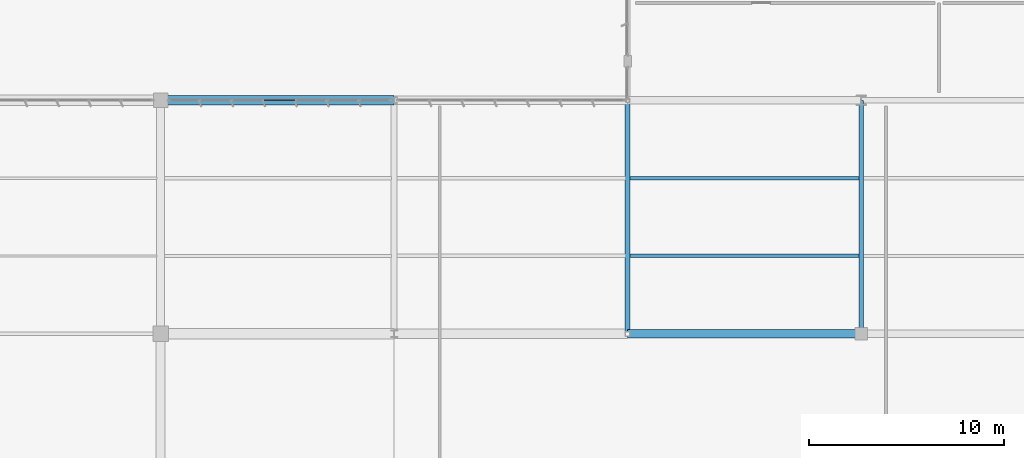
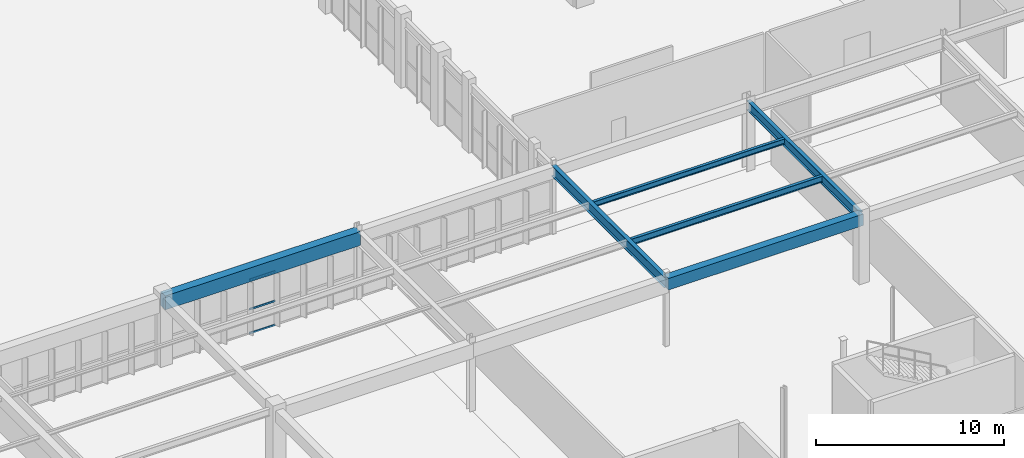
# One storey, part 78 of 199: 6 beams, 3 members, 1 element without a shape of its own.
"""IFC4 building model written with IfcOpenShell, lengths in metres."""

from ifc_helpers import new_model, si_unit, direction, frame, origin, origin_2d, place, context, subcontext, project, spatial, rectangle, i_section, extrude, material, layer, layer_set, material_profile, profile_set, type_object, element, aggregate, save


model = new_model("IFC4")

# Units and contexts
model_context = context("Model", 3, precision=1e-05, world=origin(), true_north=direction((0.0, 1.0)))
body_context = subcontext(model_context, "Body", "Model", "MODEL_VIEW")
ifc_project = project(units=[si_unit("LENGTHUNIT", "METRE"), si_unit("AREAUNIT", "SQUARE_METRE"), si_unit("VOLUMEUNIT", "CUBIC_METRE"), si_unit("PLANEANGLEUNIT", "RADIAN"), si_unit("MASSUNIT", "GRAM", prefix="KILO")], contexts=[model_context])

# Site, building, storey
site_placement = place(None, origin())
site = spatial("IfcSite", under=ifc_project, at=site_placement, CompositionType="ELEMENT")
building_placement = place(site_placement, origin())
building = spatial("IfcBuilding", under=site, at=building_placement, Name="Tarnwether General Hospital", CompositionType="ELEMENT")
storey_placement = place(building_placement, origin())
storey = spatial("IfcBuildingStorey", under=building, at=storey_placement, Name="L00", CompositionType="ELEMENT", Elevation=0.0)

# Beams
ifc_material_1 = material(Name="Steel Grade 350 (350 MPa)", Category="steel")
ifc_material_profile_1 = material_profile(ifc_material_1, i_section(OverallWidth=0.25, OverallDepth=0.69189453125, WebThickness=0.009033203125, FlangeThickness=0.01611328125, at=origin_2d()), Name="700WB115")
ifc_profile_set_1 = profile_set([ifc_material_profile_1], Name="Steel Grade 350 (350 MPa)")
beam_type_1 = type_object("IfcBeamType", Name="BM-G02", PredefinedType="BEAM", material=ifc_profile_set_1)
beam_1_placement = place(storey_placement, frame((108.0, 33.60009765625, 4.09912109375), z_axis=(0.0, 1.0, 0.0), x_axis=(-1.0, 0.0, 0.0)))
element("IfcBeam", 1, at=beam_1_placement, inside=storey, type_object=beam_type_1, Name="Primary Girder BMG-L00-10800_3360-10800_4560-0748", PredefinedType="BEAM", context=body_context, shape_type="SweptSolid", body=[
    extrude(i_section(OverallWidth=0.25, OverallDepth=0.69189453125, WebThickness=0.009033203125, FlangeThickness=0.01611328125, at=origin_2d()), origin(), (0.0, 0.0, 1.0), 12.0),
])
ifc_material_2 = material(Name="Steel Grade 350 (350 MPa)", Category="steel")
ifc_material_profile_2 = material_profile(ifc_material_2, i_section(OverallWidth=0.22900390625, OverallDepth=0.612060546875, WebThickness=0.011962890625, FlangeThickness=0.01953125, at=origin_2d()), Name="610UB125")
ifc_profile_set_2 = profile_set([ifc_material_profile_2], Name="Steel Grade 350 (350 MPa)")
beam_type_2 = type_object("IfcBeamType", Name="BM-G03", PredefinedType="BEAM", material=ifc_profile_set_2)
beam_2_placement = place(storey_placement, frame((120.0, 33.60009765625, 4.138916015625), z_axis=(0.0, 1.0, 0.0), x_axis=(-1.0, 0.0, 0.0)))
element("IfcBeam", 2, at=beam_2_placement, inside=storey, type_object=beam_type_2, Name="Primary Girder BMG-L00-12000_3360-12000_4560-0760", PredefinedType="BEAM", context=body_context, shape_type="SweptSolid", body=[
    extrude(i_section(OverallWidth=0.22900390625, OverallDepth=0.612060546875, WebThickness=0.011962890625, FlangeThickness=0.01953125, at=origin_2d()), origin(), (0.0, 0.0, 1.0), 12.0),
])
ifc_material_3 = material(Name="Concrete 40 MPa", Category="concrete")
ifc_material_profile_3 = material_profile(ifc_material_3, rectangle(XDim=0.5, YDim=0.89990234375, at=origin_2d()), Name="RC-BM-500x900")
ifc_profile_set_3 = profile_set([ifc_material_profile_3], Name="Concrete 40 MPa")
beam_type_3 = type_object("IfcBeamType", Name="BM-G12", PredefinedType="BEAM", material=ifc_profile_set_3)
beam_3_placement = place(storey_placement, frame((84.0, 45.60009765625, 3.9951171875), z_axis=(1.0, 0.0, 0.0), x_axis=(0.0, 1.0, 0.0)))
element("IfcBeam", 3, at=beam_3_placement, inside=storey, type_object=beam_type_3, Name="Primary Girder BMG-L00-8400_4560-9600_4560-0724", PredefinedType="BEAM", context=body_context, shape_type="SweptSolid", body=[
    extrude(rectangle(XDim=0.5, YDim=0.89990234375, at=origin_2d()), origin(), (0.0, 0.0, 1.0), 12.0),
])
ifc_material_4 = material(Name="Concrete 40 MPa", Category="concrete")
ifc_material_profile_4 = material_profile(ifc_material_4, rectangle(XDim=0.449951171875, YDim=0.75, at=origin_2d()), Name="RC-BM-450x750")
ifc_profile_set_4 = profile_set([ifc_material_profile_4], Name="Concrete 40 MPa")
beam_type_4 = type_object("IfcBeamType", Name="BM-G13", PredefinedType="BEAM", material=ifc_profile_set_4)
beam_4_placement = place(storey_placement, frame((108.0, 33.60009765625, 4.070068359375), z_axis=(1.0, 0.0, 0.0), x_axis=(0.0, 1.0, 0.0)))
element("IfcBeam", 4, at=beam_4_placement, inside=storey, type_object=beam_type_4, Name="Primary Girder BMG-L00-10800_3360-12000_3360-0747", PredefinedType="BEAM", context=body_context, shape_type="SweptSolid", body=[
    extrude(rectangle(XDim=0.449951171875, YDim=0.75, at=origin_2d()), origin(), (0.0, 0.0, 1.0), 12.0),
])
ifc_material_5 = material(Name="Steel Grade 350 (350 MPa)", Category="steel")
ifc_material_profile_5 = material_profile(ifc_material_5, i_section(OverallWidth=0.177978515625, OverallDepth=0.403076171875, WebThickness=0.007568359375, FlangeThickness=0.010986328125, at=origin_2d()), Name="410UB53.7")
ifc_profile_set_5 = profile_set([ifc_material_profile_5], Name="Steel Grade 350 (350 MPa)")
beam_type_5 = type_object("IfcBeamType", Name="BM-J02", PredefinedType="JOIST", material=ifc_profile_set_5)
beam_5_placement = place(storey_placement, frame((108.118896484375, 37.60009765625, 4.243408203125), z_axis=(1.0, 0.0, 0.0), x_axis=(0.0, 1.0, 0.0)))
element("IfcBeam", 5, at=beam_5_placement, inside=storey, type_object=beam_type_5, Name="Composite Floor Joist BMG-L00-10812_3760-11989_3760-0989", PredefinedType="JOIST", context=body_context, shape_type="SweptSolid", body=[
    extrude(i_section(OverallWidth=0.177978515625, OverallDepth=0.403076171875, WebThickness=0.007568359375, FlangeThickness=0.010986328125, at=origin_2d()), origin(), (0.0, 0.0, 1.0), 11.772216796875),
])
ifc_material_6 = material(Name="Steel Grade 350 (350 MPa)", Category="steel")
ifc_material_profile_6 = material_profile(ifc_material_6, i_section(OverallWidth=0.172119140625, OverallDepth=0.35888671875, WebThickness=0.008056640625, FlangeThickness=0.012939453125, at=origin_2d()), Name="360UB56.7")
ifc_profile_set_6 = profile_set([ifc_material_profile_6], Name="Steel Grade 350 (350 MPa)")
beam_type_6 = type_object("IfcBeamType", Name="BM-J03", PredefinedType="JOIST", material=ifc_profile_set_6)
beam_6_placement = place(storey_placement, frame((108.118896484375, 41.60009765625, 4.265380859375), z_axis=(1.0, 0.0, 0.0), x_axis=(0.0, 1.0, 0.0)))
element("IfcBeam", 6, at=beam_6_placement, inside=storey, type_object=beam_type_6, Name="Composite Floor Joist BMG-L00-10812_4160-11989_4160-0990", PredefinedType="JOIST", context=body_context, shape_type="SweptSolid", body=[
    extrude(i_section(OverallWidth=0.172119140625, OverallDepth=0.35888671875, WebThickness=0.008056640625, FlangeThickness=0.012939453125, at=origin_2d()), origin(), (0.0, 0.0, 1.0), 11.772216796875),
])

# Curtain wall, members
ifc_material_7 = material(Name="Anodised aluminium", Category="aluminium")
ifc_layer = layer(ifc_material_7, 0.159912109375)
ifc_layer_set = layer_set([ifc_layer], Name="Anodised aluminium")
curtain_wall_type = type_object("IfcCurtainWallType", Name="CW-24", PredefinedType="NOTDEFINED", material=ifc_layer_set)
curtain_wall_placement = place(storey_placement, origin())
curtain_wall = element("IfcCurtainWall", 7, at=curtain_wall_placement, inside=storey, type_object=curtain_wall_type, Name="Curtain Wall CWG-L00-958_456-0310", PredefinedType="NOTDEFINED")
ifc_material_8 = material(Name="Anodised aluminium", Category="aluminium")
ifc_material_profile_7 = material_profile(ifc_material_8, rectangle(XDim=0.06005859375, YDim=0.1201171875, at=origin_2d()), Name="ALU-TRN-60x120")
ifc_profile_set_7 = profile_set([ifc_material_profile_7], Name="Anodised aluminium")
member_type = type_object("IfcMemberType", Name="CW-TR1", PredefinedType="USERDEFINED", material=ifc_profile_set_7)
member_1_placement = place(storey_placement, frame((90.898193359375, 45.60009765625, 0.030029296875), z_axis=(-1.0, 0.0, 0.0), x_axis=(0.0, -1.0, 0.0)))
member_1 = element("IfcMember", 8, at=member_1_placement, type_object=member_type, Name="CW-24 transom 4.1", ObjectType="TRANSOM", PredefinedType="USERDEFINED", context=body_context, shape_type="SweptSolid", body=[
    extrude(rectangle(XDim=0.06005859375, YDim=0.1201171875, at=origin_2d()), origin(), (0.0, 0.0, 1.0), 1.576416015625),
])
member_2_placement = place(storey_placement, frame((90.898193359375, 45.60009765625, 1.58837890625), z_axis=(-1.0, 0.0, 0.0), x_axis=(0.0, -1.0, 0.0)))
member_2 = element("IfcMember", 9, at=member_2_placement, type_object=member_type, Name="CW-24 transom 4.2", ObjectType="TRANSOM", PredefinedType="USERDEFINED", context=body_context, shape_type="SweptSolid", body=[
    extrude(rectangle(XDim=0.06005859375, YDim=0.1201171875, at=origin_2d()), origin(), (0.0, 0.0, 1.0), 1.576416015625),
])
member_3_placement = place(storey_placement, frame((90.898193359375, 45.60009765625, 3.5), z_axis=(-1.0, 0.0, 0.0), x_axis=(0.0, -1.0, 0.0)))
member_3 = element("IfcMember", 10, at=member_3_placement, type_object=member_type, Name="CW-24 transom 4.3", ObjectType="TRANSOM", PredefinedType="USERDEFINED", context=body_context, shape_type="SweptSolid", body=[
    extrude(rectangle(XDim=0.06005859375, YDim=0.1201171875, at=origin_2d()), origin(), (0.0, 0.0, 1.0), 1.576416015625),
])
aggregate(curtain_wall, [member_1, member_2, member_3])

save(model, "model.ifc")
